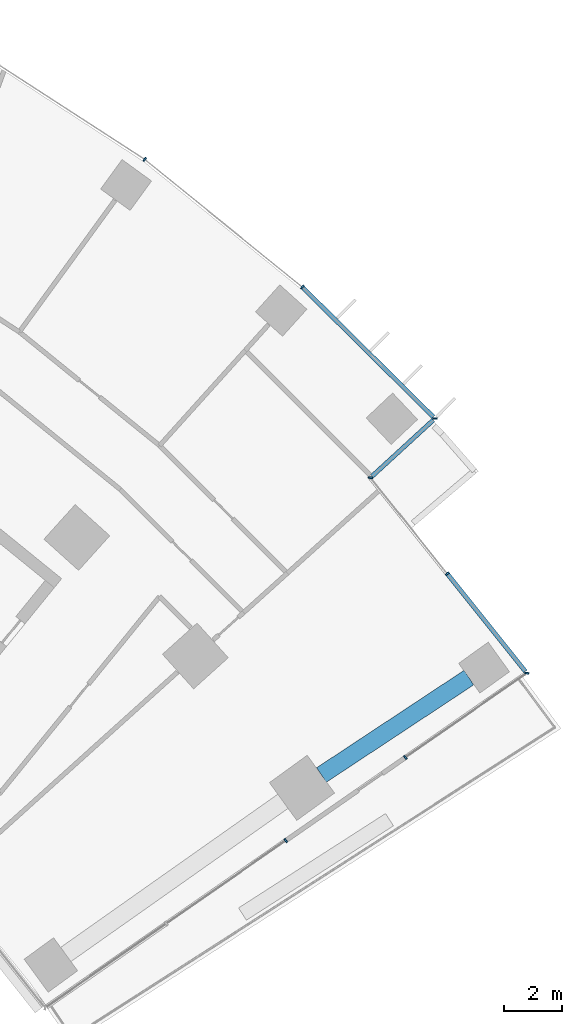
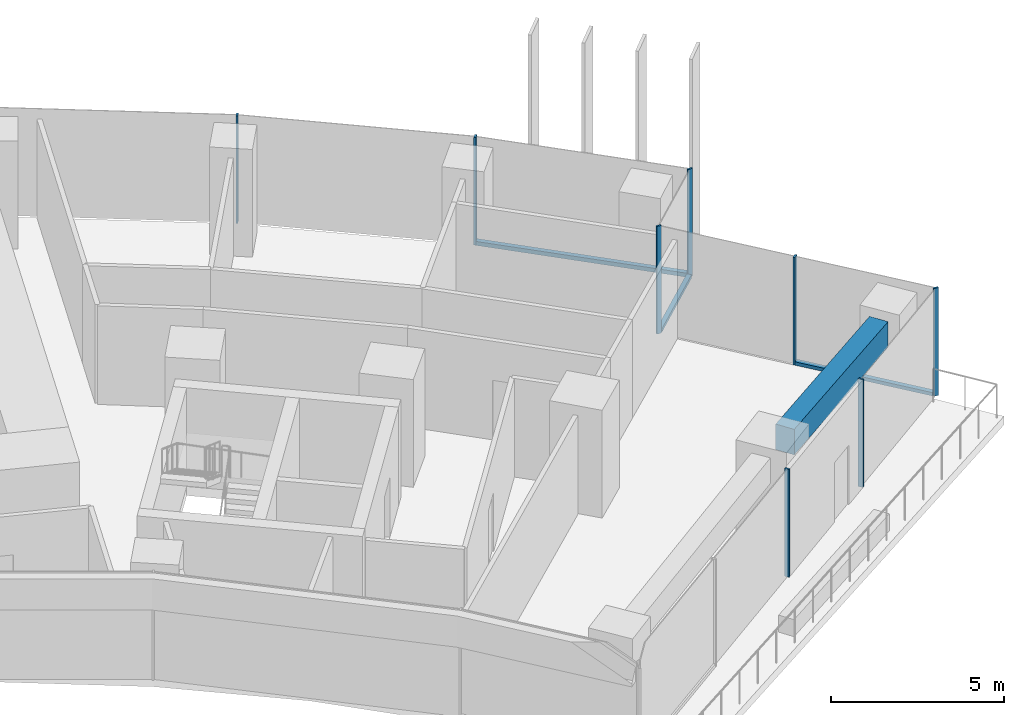
# One storey, part 10 of 21: 11 members, 1 beam, 4 elements without a shape of their own.
"""IFC4 building model written with IfcOpenShell, lengths in metres."""

from ifc_helpers import new_model, si_unit, direction, frame, origin, origin_2d, place, context, subcontext, project, spatial, rectangle, extrude, material, layer, layer_set, material_profile, profile_set, type_object, element, aggregate, save


model = new_model("IFC4")

# Units and contexts
model_context = context("Model", 3, precision=1e-05, world=origin(), true_north=direction((0.0, 1.0)))
body_context = subcontext(model_context, "Body", "Model", "MODEL_VIEW")
ifc_project = project(units=[si_unit("LENGTHUNIT", "METRE"), si_unit("AREAUNIT", "SQUARE_METRE"), si_unit("VOLUMEUNIT", "CUBIC_METRE"), si_unit("PLANEANGLEUNIT", "RADIAN"), si_unit("MASSUNIT", "GRAM", prefix="KILO")], contexts=[model_context])

# Site, building, storey
site_placement = place(None, origin())
site = spatial("IfcSite", under=ifc_project, at=site_placement, CompositionType="ELEMENT")
building_placement = place(site_placement, origin())
building = spatial("IfcBuilding", under=site, at=building_placement, Name="Stone Belt Terrace Tower", CompositionType="ELEMENT")
storey_placement = place(building_placement, frame((0.0, 0.0, 56.60009765625)))
storey = spatial("IfcBuildingStorey", under=building, at=storey_placement, Name="L13", CompositionType="ELEMENT", Elevation=56.60009765625)

# Curtain wall, members
ifc_material_1 = material(Name="Aluminium 6063-T6 anodised frame", Category="aluminium")
ifc_layer_1 = layer(ifc_material_1, 0.14990234375)
ifc_layer_set_1 = layer_set([ifc_layer_1], Name="CW-A unitised convex-face curtain wall")
curtain_wall_type_1 = type_object("IfcCurtainWallType", Name="CW-A unitised convex-face curtain wall", PredefinedType="NOTDEFINED", material=ifc_layer_set_1)
curtain_wall_1_placement = place(storey_placement, origin())
curtain_wall_1 = element("IfcCurtainWall", 1, at=curtain_wall_1_placement, inside=storey, type_object=curtain_wall_type_1, Name="CW-A convex face L13", PredefinedType="NOTDEFINED")
ifc_material_profile_1 = material_profile(ifc_material_1, rectangle(XDim=0.14990234375, YDim=0.06005859375, at=origin_2d()), Name="Aluminium 6063-T6 60x150")
ifc_profile_set_1 = profile_set([ifc_material_profile_1], Name="Aluminium 6063-T6 anodised frame")
member_type_1 = type_object("IfcMemberType", Name="CW-A mullion 60 x 150", PredefinedType="MULLION", material=ifc_profile_set_1)
member_1_placement = place(storey_placement, frame((49.104736328125, 44.960693359375, 0.0), z_axis=(0.0, 0.0, 1.0), x_axis=(-0.999817888415, 0.019083762848, 0.0)))
member_1 = element("IfcMember", 2, at=member_1_placement, type_object=member_type_1, Name="CW-A mullion 1", PredefinedType="MULLION", context=body_context, shape_type="SweptSolid", body=[
    extrude(rectangle(XDim=0.14990234375, YDim=0.06005859375, at=origin_2d()), origin(), (0.0, 0.0, 1.0), 3.7998046875),
])
member_2_placement = place(storey_placement, frame((44.54736328125, 49.47509765625, 0.0), z_axis=(0.0, 0.0, 1.0), x_axis=(-0.667371194866, -0.744725243471, 0.0)))
member_2 = element("IfcMember", 3, at=member_2_placement, type_object=member_type_1, Name="CW-A mullion 2", PredefinedType="MULLION", context=body_context, shape_type="SweptSolid", body=[
    extrude(rectangle(XDim=0.14990234375, YDim=0.06005859375, at=origin_2d()), origin(), (0.0, 0.0, 1.0), 3.7998046875),
])
member_3_placement = place(storey_placement, frame((39.1318359375, 53.8603515625, 0.0), z_axis=(0.0, 0.0, 1.0), x_axis=(-0.587785252292, -0.809016994375, 0.0)))
member_3 = element("IfcMember", 4, at=member_3_placement, type_object=member_type_1, Name="CW-A mullion 3", PredefinedType="MULLION", context=body_context, shape_type="SweptSolid", body=[
    extrude(rectangle(XDim=0.14990234375, YDim=0.06005859375, at=origin_2d()), origin(), (0.0, 0.0, 1.0), 3.7998046875),
])
ifc_material_profile_2 = material_profile(ifc_material_1, rectangle(XDim=0.14990234375, YDim=0.139892578125, at=origin_2d()), Name="Aluminium 6063-T6 150x140")
ifc_profile_set_2 = profile_set([ifc_material_profile_2], Name="Aluminium 6063-T6 anodised frame")
member_type_2 = type_object("IfcMemberType", Name="CW-A transom 140 x 150", PredefinedType="USERDEFINED", material=ifc_profile_set_2)
member_4_placement = place(storey_placement, frame((49.05126953125, 45.013427734375, 0.06982421875), z_axis=(-0.710428470855, 0.703769413799, 0.0), x_axis=(-0.703769413799, -0.710428470855, 0.0)))
member_4 = element("IfcMember", 5, at=member_4_placement, type_object=member_type_2, Name="CW-A transom 1.1", ObjectType="TRANSOM", PredefinedType="USERDEFINED", context=body_context, shape_type="SweptSolid", body=[
    extrude(rectangle(XDim=0.14990234375, YDim=0.139892578125, at=origin_2d()), origin(), (0.0, 0.0, 1.0), 6.305908203125),
])
aggregate(curtain_wall_1, [member_1, member_2, member_3, member_4])

ifc_layer_2 = layer(ifc_material_1, 0.14990234375)
ifc_layer_set_2 = layer_set([ifc_layer_2], Name="CW-C stick curtain wall, horn ends and notches")
curtain_wall_type_2 = type_object("IfcCurtainWallType", Name="CW-C stick curtain wall, horn ends and notches", PredefinedType="NOTDEFINED", material=ifc_layer_set_2)
curtain_wall_2_placement = place(storey_placement, origin())
curtain_wall_2 = element("IfcCurtainWall", 6, at=curtain_wall_2_placement, inside=storey, type_object=curtain_wall_type_2, Name="CW-C end face L13", PredefinedType="NOTDEFINED")
ifc_material_profile_3 = material_profile(ifc_material_1, rectangle(XDim=0.14990234375, YDim=0.06005859375, at=origin_2d()), Name="Aluminium 6063-T6 60x150")
ifc_profile_set_3 = profile_set([ifc_material_profile_3], Name="Aluminium 6063-T6 anodised frame")
member_type_3 = type_object("IfcMemberType", Name="CW-C mullion 60 x 150", PredefinedType="MULLION", material=ifc_profile_set_3)
member_5_placement = place(storey_placement, frame((43.980712890625, 30.462158203125, 0.0), z_axis=(0.0, 0.0, 1.0), x_axis=(-0.570537322339, 0.821271674793, 0.0)))
member_5 = element("IfcMember", 7, at=member_5_placement, type_object=member_type_3, Name="CW-C mullion 3", PredefinedType="MULLION", context=body_context, shape_type="SweptSolid", body=[
    extrude(rectangle(XDim=0.14990234375, YDim=0.06005859375, at=origin_2d()), origin(), (0.0, 0.0, 1.0), 3.7998046875),
])
member_6_placement = place(storey_placement, frame((48.087158203125, 33.31494140625, 0.0), z_axis=(0.0, 0.0, 1.0), x_axis=(-0.570537322339, 0.821271674793, 0.0)))
member_6 = element("IfcMember", 8, at=member_6_placement, type_object=member_type_3, Name="CW-C mullion 4", PredefinedType="MULLION", context=body_context, shape_type="SweptSolid", body=[
    extrude(rectangle(XDim=0.14990234375, YDim=0.06005859375, at=origin_2d()), origin(), (0.0, 0.0, 1.0), 3.7998046875),
])
aggregate(curtain_wall_2, [member_5, member_6])

curtain_wall_3_placement = place(storey_placement, origin())
curtain_wall_3 = element("IfcCurtainWall", 9, at=curtain_wall_3_placement, inside=storey, type_object=curtain_wall_type_2, Name="CW-C notch face L13", PredefinedType="NOTDEFINED")
member_7_placement = place(storey_placement, frame((52.259521484375, 36.21337890625, 0.0), z_axis=(0.0, 0.0, 1.0), x_axis=(-0.989591903189, 0.143902276362, 0.0)))
member_7 = element("IfcMember", 10, at=member_7_placement, type_object=member_type_3, Name="CW-C mullion 1", PredefinedType="MULLION", context=body_context, shape_type="SweptSolid", body=[
    extrude(rectangle(XDim=0.14990234375, YDim=0.06005859375, at=origin_2d()), origin(), (0.0, 0.0, 1.0), 3.7998046875),
])
member_8_placement = place(storey_placement, frame((49.52685546875, 39.628662109375, 0.0), z_axis=(0.0, 0.0, 1.0), x_axis=(-0.780813712139, -0.624763912959, 0.0)))
member_8 = element("IfcMember", 11, at=member_8_placement, type_object=member_type_3, Name="CW-C mullion 2", PredefinedType="MULLION", context=body_context, shape_type="SweptSolid", body=[
    extrude(rectangle(XDim=0.14990234375, YDim=0.06005859375, at=origin_2d()), origin(), (0.0, 0.0, 1.0), 3.7998046875),
])

# Curtain wall, member
curtain_wall_4_placement = place(storey_placement, origin())
curtain_wall_4 = element("IfcCurtainWall", 12, at=curtain_wall_4_placement, inside=storey, type_object=curtain_wall_type_2, Name="CW-C notch face L13", PredefinedType="NOTDEFINED")
member_9_placement = place(storey_placement, frame((46.887939453125, 42.926513671875, 0.0), z_axis=(0.0, 0.0, 1.0), x_axis=(-0.99705735712, 0.076659158705, 0.0)))
member_9 = element("IfcMember", 13, at=member_9_placement, type_object=member_type_3, Name="CW-C mullion 1", PredefinedType="MULLION", context=body_context, shape_type="SweptSolid", body=[
    extrude(rectangle(XDim=0.14990234375, YDim=0.06005859375, at=origin_2d()), origin(), (0.0, 0.0, 1.0), 3.7998046875),
])

# Member
ifc_material_profile_4 = material_profile(ifc_material_1, rectangle(XDim=0.14990234375, YDim=0.1201171875, at=origin_2d()), Name="Aluminium 6063-T6 150x120")
ifc_profile_set_4 = profile_set([ifc_material_profile_4], Name="Aluminium 6063-T6 anodised frame")
member_type_4 = type_object("IfcMemberType", Name="CW-C transom 120 x 150", PredefinedType="USERDEFINED", material=ifc_profile_set_4)
member_10_placement = place(storey_placement, frame((52.21240234375, 36.27197265625, 0.059814453125), z_axis=(-0.624750841732, 0.780824170832, 0.0), x_axis=(-0.780824170832, -0.624750841732, 0.0)))
member_10 = element("IfcMember", 14, at=member_10_placement, type_object=member_type_4, Name="CW-C transom 1.1", ObjectType="TRANSOM", PredefinedType="USERDEFINED", context=body_context, shape_type="SweptSolid", body=[
    extrude(rectangle(XDim=0.14990234375, YDim=0.1201171875, at=origin_2d()), origin(), (0.0, 0.0, 1.0), 4.268798828125),
])

aggregate(curtain_wall_3, [member_7, member_8, member_10])

member_11_placement = place(storey_placement, frame((46.94189453125, 42.975830078125, 0.059814453125), z_axis=(0.736757207499, 0.676157390848, 0.0), x_axis=(-0.676157390848, 0.736757207499, 0.0)))
member_11 = element("IfcMember", 15, at=member_11_placement, type_object=member_type_4, Name="CW-C transom 1.1", ObjectType="TRANSOM", PredefinedType="USERDEFINED", context=body_context, shape_type="SweptSolid", body=[
    extrude(rectangle(XDim=0.14990234375, YDim=0.1201171875, at=origin_2d()), origin(), (0.0, 0.0, 1.0), 2.8603515625),
])

aggregate(curtain_wall_4, [member_9, member_11])

# Beam
ifc_material_2 = material(Name="Concrete B60", Category="concrete")
ifc_material_profile_5 = material_profile(ifc_material_2, rectangle(XDim=0.60009765625, YDim=0.89990234375, at=origin_2d()), Name="RC 600x900")
ifc_profile_set_5 = profile_set([ifc_material_profile_5], Name="Concrete B60")
beam_type = type_object("IfcBeamType", Name="Edge beam RC 600x900 B60", PredefinedType="SPANDREL", material=ifc_profile_set_5)
beam_placement = place(storey_placement, frame((45.204345703125, 32.7138671875, 3.02978515625), z_axis=(0.83437001068, 0.551204758032, 0.0), x_axis=(-0.551204758032, 0.83437001068, 0.0)))
element("IfcBeam", 16, at=beam_placement, inside=storey, type_object=beam_type, Name="Edge beam L13 B Q to R", PredefinedType="SPANDREL", context=body_context, shape_type="SweptSolid", body=[
    extrude(rectangle(XDim=0.60009765625, YDim=0.89990234375, at=origin_2d()), origin(), (0.0, 0.0, 1.0), 6.06884765625),
])

save(model, "model.ifc")
